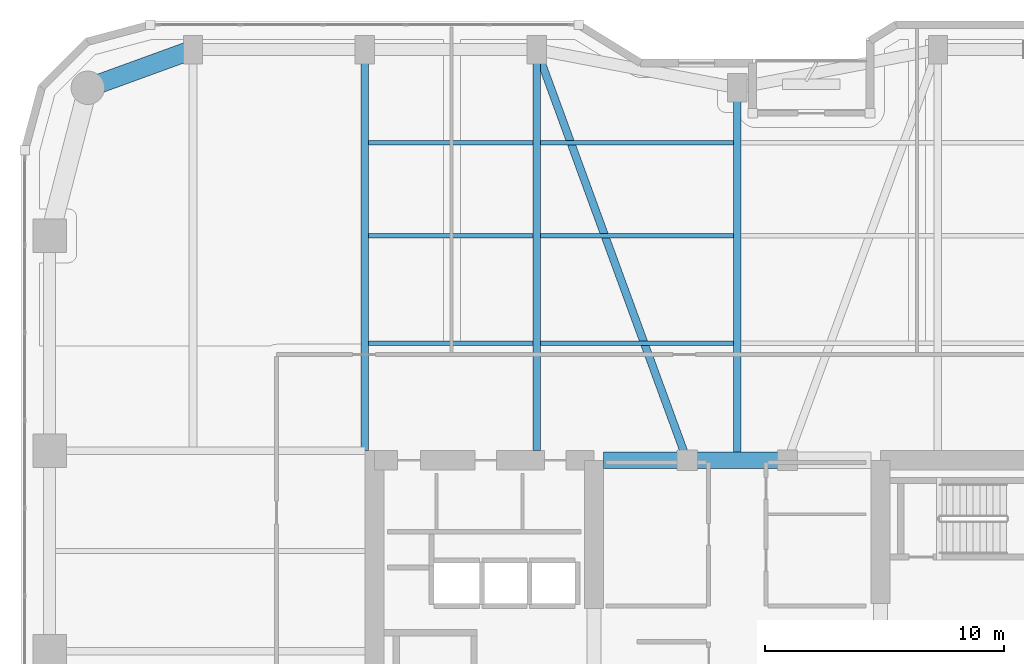
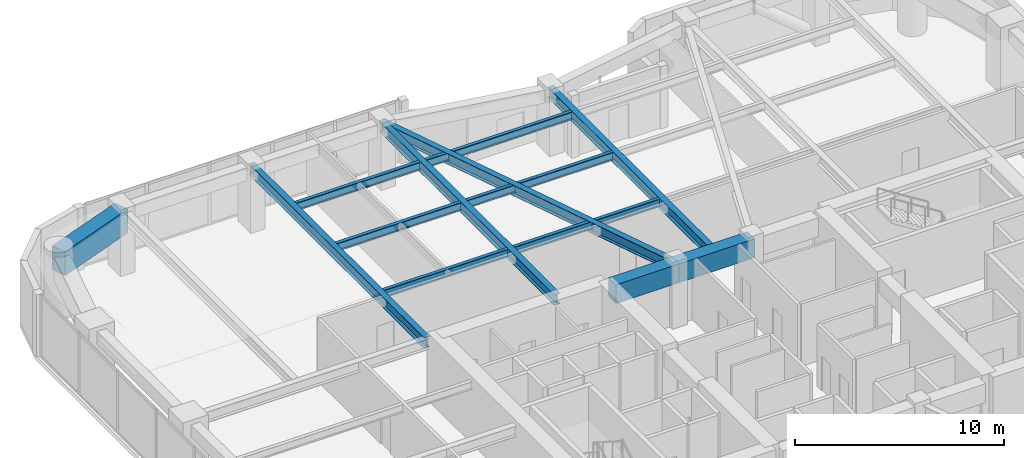
# One storey, part 12 of 24: 13 beams.
"""IFC4 building model written with IfcOpenShell, lengths in metres."""

from ifc_helpers import new_model, si_unit, direction, frame, origin, origin_2d, place, context, subcontext, project, spatial, rectangle, i_section, extrude, material, material_profile, profile_set, type_object, element, save


model = new_model("IFC4")

# Units and contexts
model_context = context("Model", 3, precision=1e-05, world=origin(), true_north=direction((0.0, 1.0)))
body_context = subcontext(model_context, "Body", "Model", "MODEL_VIEW")
ifc_project = project(units=[si_unit("LENGTHUNIT", "METRE"), si_unit("AREAUNIT", "SQUARE_METRE"), si_unit("VOLUMEUNIT", "CUBIC_METRE"), si_unit("PLANEANGLEUNIT", "RADIAN"), si_unit("MASSUNIT", "GRAM", prefix="KILO")], contexts=[model_context])

# Site, building, storey
site_placement = place(None, origin())
site = spatial("IfcSite", under=ifc_project, at=site_placement, CompositionType="ELEMENT")
building_placement = place(site_placement, origin())
building = spatial("IfcBuilding", under=site, at=building_placement, Name="Kiyonajd Concourse Tower", CompositionType="ELEMENT")
storey_placement = place(building_placement, frame((0.0, 0.0, 117.0)))
storey = spatial("IfcBuildingStorey", under=building, at=storey_placement, Name="L30", CompositionType="ELEMENT", Elevation=117.0)

# Beams
ifc_material_1 = material(Name="Concrete C70/85", Category="concrete")
ifc_material_profile_1 = material_profile(ifc_material_1, rectangle(XDim=0.699951171875, YDim=1.10009765625, at=origin_2d()), Name="RCBM-700x1100")
ifc_profile_set_1 = profile_set([ifc_material_profile_1], Name="Concrete C70/85")
beam_type_1 = type_object("IfcBeamType", Name="BM-COUP-1100", PredefinedType="LINTEL", material=ifc_profile_set_1)
beam_1_placement = place(storey_placement, frame((42.39990234375, 44.0, 3.090087890625), z_axis=(1.0, 0.0, 0.0), x_axis=(0.0, 1.0, 0.0)))
element("IfcBeam", 1, at=beam_1_placement, inside=storey, type_object=beam_type_1, Name="L30 Core Coupling Beam N1", PredefinedType="LINTEL", context=body_context, shape_type="SweptSolid", body=[
    extrude(rectangle(XDim=0.699951171875, YDim=1.10009765625, at=origin_2d()), origin(), (0.0, 0.0, 1.0), 3.5),
])
beam_2_placement = place(storey_placement, frame((45.89990234375, 44.0, 3.090087890625), z_axis=(1.0, 0.0, 0.0), x_axis=(0.0, 1.0, 0.0)))
element("IfcBeam", 2, at=beam_2_placement, inside=storey, type_object=beam_type_1, Name="L30 Core Coupling Beam N2", PredefinedType="LINTEL", context=body_context, shape_type="SweptSolid", body=[
    extrude(rectangle(XDim=0.699951171875, YDim=1.10009765625, at=origin_2d()), origin(), (0.0, 0.0, 1.0), 4.2001953125),
])
ifc_material_2 = material(Name="Steel ASTM A992 Grade 50", Category="steel")
ifc_material_profile_2 = material_profile(ifc_material_2, i_section(OverallWidth=0.19189453125, OverallDepth=0.462890625, WebThickness=0.010498046875, FlangeThickness=0.017578125, at=origin_2d()), Name="W460X89")
ifc_profile_set_2 = profile_set([ifc_material_profile_2], Name="Steel ASTM A992 Grade 50")
beam_type_2 = type_object("IfcBeamType", Name="BM-JST-460B", PredefinedType="JOIST", material=ifc_profile_set_2)
beam_3_placement = place(storey_placement, frame((32.5634765625, 48.89990234375, 3.408447265625), z_axis=(1.0, 0.0, 0.0), x_axis=(0.0, 1.0, 0.0)))
element("IfcBeam", 3, at=beam_3_placement, inside=storey, type_object=beam_type_2, Name="L30 Secondary Floor Joist", PredefinedType="JOIST", context=body_context, shape_type="SweptSolid", body=[
    extrude(i_section(OverallWidth=0.19189453125, OverallDepth=0.462890625, WebThickness=0.010498046875, FlangeThickness=0.017578125, at=origin_2d()), origin(), (0.0, 0.0, 1.0), 6.873046875),
])
beam_4_placement = place(storey_placement, frame((39.763427734375, 48.89990234375, 3.408447265625), z_axis=(1.0, 0.0, 0.0), x_axis=(0.0, 1.0, 0.0)))
element("IfcBeam", 4, at=beam_4_placement, inside=storey, type_object=beam_type_2, Name="L30 Secondary Floor Joist", PredefinedType="JOIST", context=body_context, shape_type="SweptSolid", body=[
    extrude(i_section(OverallWidth=0.19189453125, OverallDepth=0.462890625, WebThickness=0.010498046875, FlangeThickness=0.017578125, at=origin_2d()), origin(), (0.0, 0.0, 1.0), 8.072998046875),
])
beam_5_placement = place(storey_placement, frame((32.5634765625, 53.39990234375, 3.408447265625), z_axis=(1.0, 0.0, 0.0), x_axis=(0.0, 1.0, 0.0)))
element("IfcBeam", 5, at=beam_5_placement, inside=storey, type_object=beam_type_2, Name="L30 Secondary Floor Joist", PredefinedType="JOIST", context=body_context, shape_type="SweptSolid", body=[
    extrude(i_section(OverallWidth=0.19189453125, OverallDepth=0.462890625, WebThickness=0.010498046875, FlangeThickness=0.017578125, at=origin_2d()), origin(), (0.0, 0.0, 1.0), 6.873046875),
])
beam_6_placement = place(storey_placement, frame((39.763427734375, 53.39990234375, 3.408447265625), z_axis=(1.0, 0.0, 0.0), x_axis=(0.0, 1.0, 0.0)))
element("IfcBeam", 6, at=beam_6_placement, inside=storey, type_object=beam_type_2, Name="L30 Secondary Floor Joist", PredefinedType="JOIST", context=body_context, shape_type="SweptSolid", body=[
    extrude(i_section(OverallWidth=0.19189453125, OverallDepth=0.462890625, WebThickness=0.010498046875, FlangeThickness=0.017578125, at=origin_2d()), origin(), (0.0, 0.0, 1.0), 8.072998046875),
])
beam_7_placement = place(storey_placement, frame((32.5634765625, 57.300048828125, 3.408447265625), z_axis=(1.0, 0.0, 0.0), x_axis=(0.0, 1.0, 0.0)))
element("IfcBeam", 7, at=beam_7_placement, inside=storey, type_object=beam_type_2, Name="L30 Secondary Floor Joist", PredefinedType="JOIST", context=body_context, shape_type="SweptSolid", body=[
    extrude(i_section(OverallWidth=0.19189453125, OverallDepth=0.462890625, WebThickness=0.010498046875, FlangeThickness=0.017578125, at=origin_2d()), origin(), (0.0, 0.0, 1.0), 6.873046875),
])
beam_8_placement = place(storey_placement, frame((39.763427734375, 57.300048828125, 3.408447265625), z_axis=(1.0, 0.0, 0.0), x_axis=(0.0, 1.0, 0.0)))
element("IfcBeam", 8, at=beam_8_placement, inside=storey, type_object=beam_type_2, Name="L30 Secondary Floor Joist", PredefinedType="JOIST", context=body_context, shape_type="SweptSolid", body=[
    extrude(i_section(OverallWidth=0.19189453125, OverallDepth=0.462890625, WebThickness=0.010498046875, FlangeThickness=0.017578125, at=origin_2d()), origin(), (0.0, 0.0, 1.0), 8.072998046875),
])
ifc_material_profile_3 = material_profile(ifc_material_2, i_section(OverallWidth=0.326904296875, OverallDepth=0.6220703125, WebThickness=0.015380859375, FlangeThickness=0.0244140625, at=origin_2d()), Name="W610X195")
ifc_profile_set_3 = profile_set([ifc_material_profile_3], Name="Steel ASTM A992 Grade 50")
beam_type_3 = type_object("IfcBeamType", Name="BM-TWR-610A", PredefinedType="BEAM", material=ifc_profile_set_3)
beam_9_placement = place(storey_placement, frame((39.60009765625, 61.199951171875, 3.3291015625), z_axis=(0.343925269715, -0.938997022813, 0.0), x_axis=(0.938997022813, 0.343925269715, 0.0)))
element("IfcBeam", 9, at=beam_9_placement, inside=storey, type_object=beam_type_3, Name="L30 Core Tie Girder", PredefinedType="BEAM", context=body_context, shape_type="SweptSolid", body=[
    extrude(i_section(OverallWidth=0.326904296875, OverallDepth=0.6220703125, WebThickness=0.015380859375, FlangeThickness=0.0244140625, at=origin_2d()), origin(), (0.0, 0.0, 1.0), 18.3173828125),
])
for number, where, z_axis, x_axis, name in (
    (10, (32.39990234375, 44.39990234375, 3.3291015625), (0.0, 1.0, 0.0), (-1.0, 0.0, 0.0), "L30 North Lease Girder"),
    (11, (39.60009765625, 44.39990234375, 3.3291015625), (0.0, 1.0, 0.0), (-1.0, 0.0, 0.0), "L30 North Lease Girder"),
):
    element("IfcBeam", number, at=place(storey_placement, frame(where, z_axis=z_axis, x_axis=x_axis)), inside=storey, type_object=beam_type_3, Name=name, PredefinedType="BEAM", context=body_context, shape_type="SweptSolid", body=[
        extrude(i_section(OverallWidth=0.326904296875, OverallDepth=0.6220703125, WebThickness=0.015380859375, FlangeThickness=0.0244140625, at=origin_2d()), origin(), (0.0, 0.0, 1.0), 16.800048828125),
    ])
beam_10_placement = place(storey_placement, frame((48.0, 44.0, 3.3291015625), z_axis=(0.0, 1.0, 0.0), x_axis=(-1.0, 0.0, 0.0)))
element("IfcBeam", 12, at=beam_10_placement, inside=storey, type_object=beam_type_3, Name="L30 North Ribbon Girder", PredefinedType="BEAM", context=body_context, shape_type="SweptSolid", body=[
    extrude(i_section(OverallWidth=0.326904296875, OverallDepth=0.6220703125, WebThickness=0.015380859375, FlangeThickness=0.0244140625, at=origin_2d()), origin(), (0.0, 0.0, 1.0), 15.60009765625),
])
ifc_material_3 = material(Name="Concrete C60/75", Category="concrete")
ifc_material_profile_4 = material_profile(ifc_material_3, rectangle(XDim=0.800048828125, YDim=1.39990234375, at=origin_2d()), Name="RCBM-800x1400")
ifc_profile_set_4 = profile_set([ifc_material_profile_4], Name="Concrete C60/75")
beam_type_4 = type_object("IfcBeamType", Name="BM-XFER-RC", PredefinedType="BEAM", material=ifc_profile_set_4)
beam_11_placement = place(storey_placement, frame((25.199951171875, 61.199951171875, 2.93994140625), z_axis=(-0.939801036019, -0.341722127901, 0.0), x_axis=(0.341722127901, -0.939801036019, 0.0)))
element("IfcBeam", 13, at=beam_11_placement, inside=storey, type_object=beam_type_4, Name="L30 Perimeter Bundled Tube Spandrel", PredefinedType="BEAM", context=body_context, shape_type="SweptSolid", body=[
    extrude(rectangle(XDim=0.800048828125, YDim=1.39990234375, at=origin_2d()), origin(), (0.0, 0.0, 1.0), 4.681640625),
])

save(model, "model.ifc")
